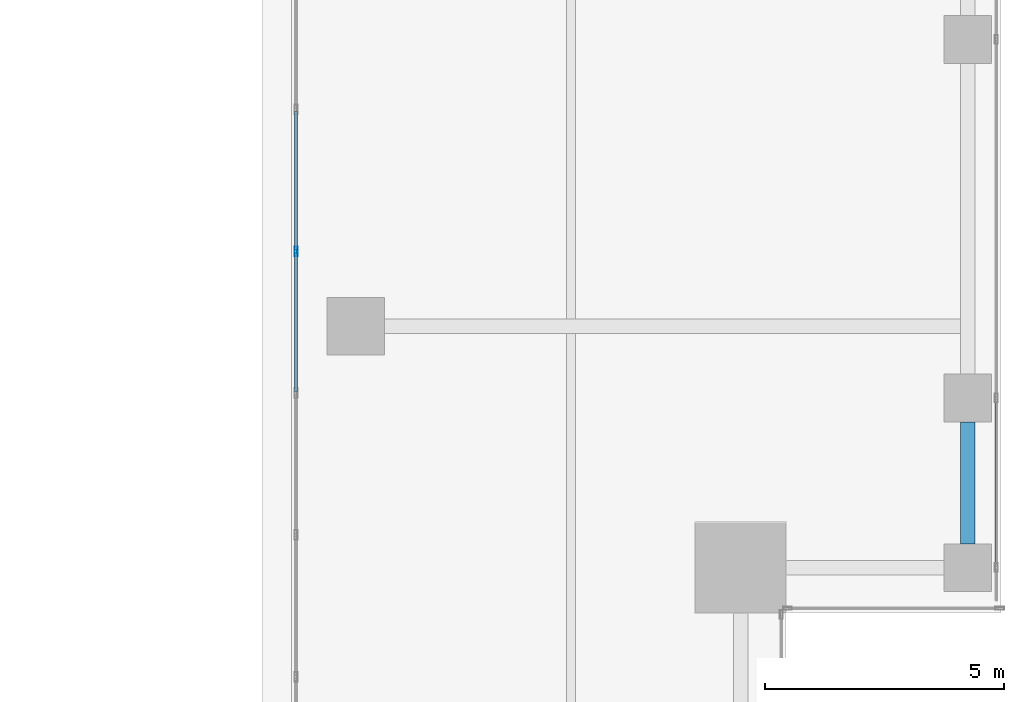
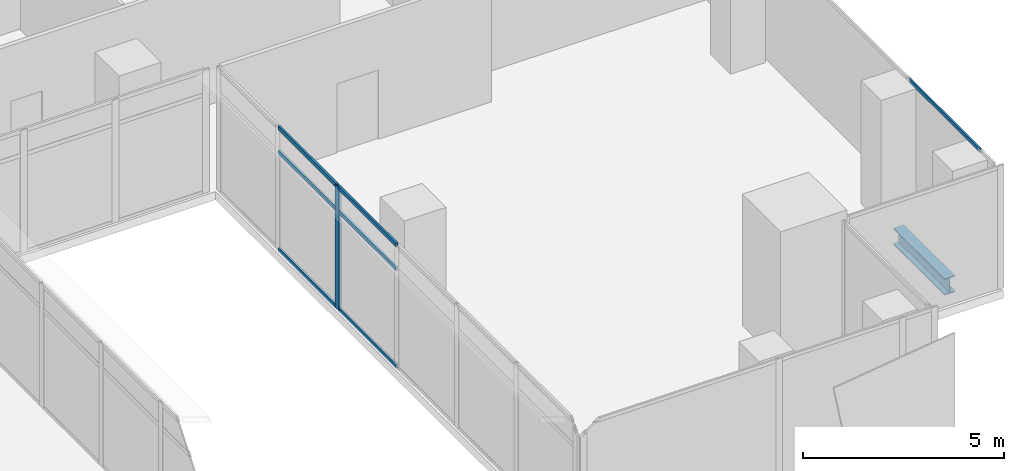
# One storey, part 12 of 40: 8 members, 1 beam, 2 elements without a shape of their own.
"""IFC4 building model written with IfcOpenShell, lengths in metres."""

from ifc_helpers import new_model, si_unit, direction, frame, origin, origin_2d, place, context, subcontext, project, spatial, hollow_rectangle, i_section, extrude, source, transform, mapped, material, material_profile, profile_set, type_object, element, aggregate, save


model = new_model("IFC4")

# Units and contexts
model_context = context("Model", 3, precision=1e-05, world=origin(), true_north=direction((0.0, 1.0)))
body_context = subcontext(model_context, "Body", "Model", "MODEL_VIEW")
ifc_project = project(units=[si_unit("LENGTHUNIT", "METRE"), si_unit("AREAUNIT", "SQUARE_METRE"), si_unit("VOLUMEUNIT", "CUBIC_METRE"), si_unit("PLANEANGLEUNIT", "RADIAN"), si_unit("MASSUNIT", "GRAM", prefix="KILO")], contexts=[model_context])

# Site, building, storey
site_placement = place(None, origin())
site = spatial("IfcSite", under=ifc_project, at=site_placement, CompositionType="ELEMENT")
building_placement = place(site_placement, origin())
building = spatial("IfcBuilding", under=site, at=building_placement, Name="Khomas Fold Tower", CompositionType="ELEMENT")
storey_placement = place(building_placement, frame((0.0, 0.0, 180.699951171875)))
storey = spatial("IfcBuildingStorey", under=building, at=storey_placement, Name="L39", CompositionType="ELEMENT", Elevation=180.699951171875)

# Beam
ifc_material_1 = material(Name="Steel S355", Category="steel")
ifc_material_profile_1 = material_profile(ifc_material_1, i_section(OverallWidth=0.300048828125, OverallDepth=0.5, WebThickness=0.014404296875, FlangeThickness=0.028076171875, at=origin_2d()), Name="HE 500 B")
ifc_profile_set_1 = profile_set([ifc_material_profile_1], Name="Steel S355")
beam_type = type_object("IfcBeamType", Name="HE 500 B spandrel SB3", PredefinedType="SPANDREL", material=ifc_profile_set_1)
shared_shape_1 = source(origin(), body_context, "Body", "SweptSolid", [
    extrude(i_section(OverallWidth=0.300048828125, OverallDepth=0.5, WebThickness=0.014404296875, FlangeThickness=0.028076171875, at=origin_2d()), origin(), (0.0, 0.0, 1.0), 2.550048828125),
])
beam_placement = place(storey_placement, frame((50.300048828125, 8.949951171875, -0.5), z_axis=(0.0, 1.0, 0.0), x_axis=(-1.0, 0.0, 0.0)))
element("IfcBeam", 1, at=beam_placement, inside=storey, type_object=beam_type, Name="SB3", PredefinedType="SPANDREL", context=body_context, shape_type="MappedRepresentation", body=[
    mapped(shared_shape_1, transform((0.0, 0.0, 0.0))),
])

# Curtain wall, member
ifc_material_2 = material(Name="Aluminium framed double glazing", Category="aluminium")
curtain_wall_type_1 = type_object("IfcCurtainWallType", Name="SK-Unitised clear-glass wall, office floors CW2", PredefinedType="NOTDEFINED", material=ifc_material_2)
curtain_wall_1_placement = place(storey_placement, origin())
curtain_wall_1 = element("IfcCurtainWall", 2, at=curtain_wall_1_placement, inside=storey, type_object=curtain_wall_type_1, Name="CW2 run L39 08-0", PredefinedType="NOTDEFINED")
ifc_material_3 = material(Name="Aluminium", Category="aluminium")
ifc_material_profile_2 = material_profile(ifc_material_3, hollow_rectangle(XDim=0.050048828125, YDim=0.110107421875, WallThickness=0.00390625, at=origin_2d()), Name="SK-Unitised clear-glass wall, office floors transom CW2-T")
ifc_profile_set_2 = profile_set([ifc_material_profile_2], Name="Aluminium")
member_type_1 = type_object("IfcMemberType", Name="SK-Unitised clear-glass wall, office floors transom CW2-T", PredefinedType="USERDEFINED", material=ifc_profile_set_2)
shared_shape_2 = source(origin(), body_context, "Body", "SweptSolid", [
    extrude(hollow_rectangle(XDim=0.050048828125, YDim=0.110107421875, WallThickness=0.00390625, at=origin_2d()), origin(), (0.0, 0.0, 1.0), 3.489990234375),
])
member_1_placement = place(storey_placement, frame((50.89990234375, 8.47998046875, 3.695068359375), z_axis=(0.0, 1.0, 0.0), x_axis=(-1.0, 0.0, 0.0)))
member_1 = element("IfcMember", 3, at=member_1_placement, type_object=member_type_1, Name="CW2 transom 2", ObjectType="TRANSOM", PredefinedType="USERDEFINED", context=body_context, shape_type="MappedRepresentation", body=[
    mapped(shared_shape_2, transform((0.0, 0.0, 0.0))),
])
aggregate(curtain_wall_1, [member_1])

# Curtain wall, members
ifc_material_4 = material(Name="Aluminium framed double glazing", Category="aluminium")
curtain_wall_type_2 = type_object("IfcCurtainWallType", Name="Notch glazing GN-CW", PredefinedType="NOTDEFINED", material=ifc_material_4)
curtain_wall_2_placement = place(storey_placement, origin())
curtain_wall_2 = element("IfcCurtainWall", 4, at=curtain_wall_2_placement, inside=storey, type_object=curtain_wall_type_2, Name="Notch glazing run", PredefinedType="NOTDEFINED")
ifc_material_5 = material(Name="Aluminium", Category="aluminium")
ifc_material_profile_3 = material_profile(ifc_material_5, hollow_rectangle(XDim=0.06005859375, YDim=0.1201171875, WallThickness=0.00390625, at=origin_2d()), Name="Notch glazing transom GN-CW-T")
ifc_profile_set_3 = profile_set([ifc_material_profile_3], Name="Aluminium")
member_type_2 = type_object("IfcMemberType", Name="Notch glazing transom GN-CW-T", PredefinedType="USERDEFINED", material=ifc_profile_set_3)
shared_shape_3 = source(origin(), body_context, "Body", "SweptSolid", [
    extrude(hollow_rectangle(XDim=0.06005859375, YDim=0.1201171875, WallThickness=0.00390625, at=origin_2d()), origin(), (0.0, 0.0, 1.0), 2.90673828125),
])
member_2_placement = place(storey_placement, frame((36.25, 18.00341796875, 0.030029296875), z_axis=(0.0, -1.0, 0.0), x_axis=(1.0, 0.0, 0.0)))
member_2 = element("IfcMember", 5, at=member_2_placement, type_object=member_type_2, Name="GN-CW transom 2.1", ObjectType="TRANSOM", PredefinedType="USERDEFINED", context=body_context, shape_type="MappedRepresentation", body=[
    mapped(shared_shape_3, transform((0.0, 0.0, 0.0))),
])
member_3_placement = place(storey_placement, frame((36.25, 18.00341796875, 3.0), z_axis=(0.0, -1.0, 0.0), x_axis=(1.0, 0.0, 0.0)))
member_3 = element("IfcMember", 6, at=member_3_placement, type_object=member_type_2, Name="GN-CW transom 2.2", ObjectType="TRANSOM", PredefinedType="USERDEFINED", context=body_context, shape_type="MappedRepresentation", body=[
    mapped(shared_shape_3, transform((0.0, 0.0, 0.0))),
])
member_4_placement = place(storey_placement, frame((36.25, 18.00341796875, 3.719970703125), z_axis=(0.0, -1.0, 0.0), x_axis=(1.0, 0.0, 0.0)))
member_4 = element("IfcMember", 7, at=member_4_placement, type_object=member_type_2, Name="GN-CW transom 2.3", ObjectType="TRANSOM", PredefinedType="USERDEFINED", context=body_context, shape_type="MappedRepresentation", body=[
    mapped(shared_shape_3, transform((0.0, 0.0, 0.0))),
])
member_5_placement = place(storey_placement, frame((36.25, 15.03662109375, 0.030029296875), z_axis=(0.0, -1.0, 0.0), x_axis=(1.0, 0.0, 0.0)))
member_5 = element("IfcMember", 8, at=member_5_placement, type_object=member_type_2, Name="GN-CW transom 3.1", ObjectType="TRANSOM", PredefinedType="USERDEFINED", context=body_context, shape_type="MappedRepresentation", body=[
    mapped(shared_shape_3, transform((0.0, 0.0, 0.0))),
])
member_6_placement = place(storey_placement, frame((36.25, 15.03662109375, 3.0), z_axis=(0.0, -1.0, 0.0), x_axis=(1.0, 0.0, 0.0)))
member_6 = element("IfcMember", 9, at=member_6_placement, type_object=member_type_2, Name="GN-CW transom 3.2", ObjectType="TRANSOM", PredefinedType="USERDEFINED", context=body_context, shape_type="MappedRepresentation", body=[
    mapped(shared_shape_3, transform((0.0, 0.0, 0.0))),
])
member_7_placement = place(storey_placement, frame((36.25, 15.03662109375, 3.719970703125), z_axis=(0.0, -1.0, 0.0), x_axis=(1.0, 0.0, 0.0)))
member_7 = element("IfcMember", 10, at=member_7_placement, type_object=member_type_2, Name="GN-CW transom 3.3", ObjectType="TRANSOM", PredefinedType="USERDEFINED", context=body_context, shape_type="MappedRepresentation", body=[
    mapped(shared_shape_3, transform((0.0, 0.0, 0.0))),
])
ifc_material_6 = material(Name="Aluminium", Category="aluminium")
ifc_material_profile_4 = material_profile(ifc_material_6, hollow_rectangle(XDim=0.06005859375, YDim=0.199951171875, WallThickness=0.00390625, at=origin_2d()), Name="Notch glazing mullion GN-CW-M")
ifc_profile_set_4 = profile_set([ifc_material_profile_4], Name="Aluminium")
member_type_3 = type_object("IfcMemberType", Name="Notch glazing mullion GN-CW-M", PredefinedType="MULLION", material=ifc_profile_set_4)
shared_shape_4 = source(origin(), body_context, "Body", "SweptSolid", [
    extrude(hollow_rectangle(XDim=0.06005859375, YDim=0.199951171875, WallThickness=0.00390625, at=origin_2d()), origin(), (0.0, 0.0, 1.0), 3.75),
])
member_8_placement = place(storey_placement, frame((36.25, 15.066650390625, 0.0), z_axis=(0.0, 0.0, 1.0), x_axis=(1.0, 0.0, 0.0)))
member_8 = element("IfcMember", 11, at=member_8_placement, type_object=member_type_3, Name="GN-CW mullion 3", PredefinedType="MULLION", context=body_context, shape_type="MappedRepresentation", body=[
    mapped(shared_shape_4, transform((0.0, 0.0, 0.0))),
])
aggregate(curtain_wall_2, [member_8, member_2, member_3, member_4, member_5, member_6, member_7])

save(model, "model.ifc")
